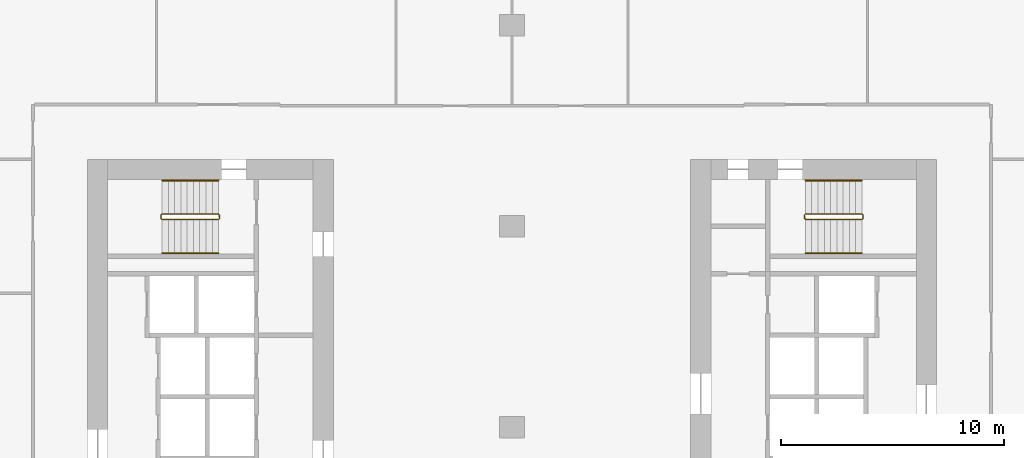
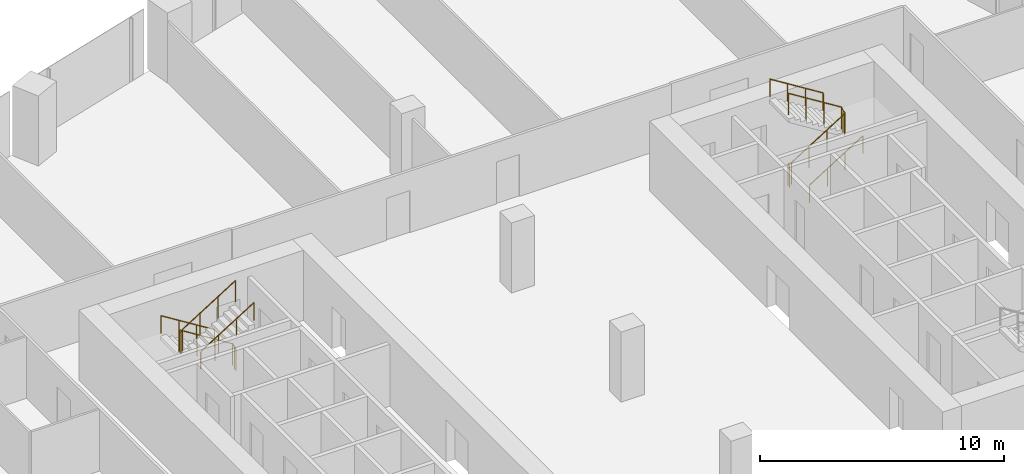
# One storey, part 31 of 31: 6 railings.
"""IFC4 building model written with IfcOpenShell, lengths in metres."""

from ifc_helpers import new_model, si_unit, direction, frame, origin, origin_2d, place, context, subcontext, project, spatial, circle, extrude, material, type_object, element, save


model = new_model("IFC4")

# Units and contexts
model_context = context("Model", 3, precision=1e-05, world=origin(), true_north=direction((0.0, 1.0)))
body_context = subcontext(model_context, "Body", "Model", "MODEL_VIEW")
ifc_project = project(units=[si_unit("LENGTHUNIT", "METRE"), si_unit("AREAUNIT", "SQUARE_METRE"), si_unit("VOLUMEUNIT", "CUBIC_METRE"), si_unit("PLANEANGLEUNIT", "RADIAN"), si_unit("MASSUNIT", "GRAM", prefix="KILO")], contexts=[model_context])

# Site, building, storey
site_placement = place(None, origin())
site = spatial("IfcSite", under=ifc_project, at=site_placement, CompositionType="ELEMENT")
building_placement = place(site_placement, origin())
building = spatial("IfcBuilding", under=site, at=building_placement, Name="Orlundy Tower", CompositionType="ELEMENT")
storey_placement = place(building_placement, frame((0.0, 0.0, 84.199951171875)))
storey = spatial("IfcBuildingStorey", under=building, at=storey_placement, Name="L20", CompositionType="ELEMENT", Elevation=84.199951171875)

# Railings
ifc_material_1 = material(Name="Steel balustrade", Category="steel")
railing_type_1 = type_object("IfcRailingType", Name="Stair Guard 1100", PredefinedType="GUARDRAIL", material=ifc_material_1)
railing_1_placement = place(storey_placement, frame((-13.090087890625, 9.5, 0.0)))
element("IfcRailing", 1, at=railing_1_placement, inside=storey, type_object=railing_type_1, Name="L20 ST-W1 stair guard 1", PredefinedType="GUARDRAIL", context=body_context, shape_type="SweptSolid", body=[
    extrude(circle(Radius=0.02392578125, at=origin_2d()), frame((0.0, 0.0, 1.076171875), z_axis=(0.0, -1.0, 0.0), x_axis=(1.0, 0.0, 0.0)), (0.0, 0.0, 1.0), 0.14990234375),
    extrude(circle(Radius=0.02392578125, at=origin_2d()), frame((0.0, -0.14990234375, 1.076171875), z_axis=(-0.18420542264, 0.739530593833, 0.647427882513), x_axis=(-0.970351222016, -0.241699205484, 0.0)), (0.0, 0.0, 1.0), 0.270263671875),
    extrude(circle(Radius=0.02392578125, at=origin_2d()), frame((-0.0498046875, 0.050048828125, 1.2509765625), z_axis=(-0.848007534815, 0.0, 0.529984170421), x_axis=(0.0, -1.0, 0.0)), (0.0, 0.0, 1.0), 2.9716796875),
    extrude(circle(Radius=0.02392578125, at=origin_2d()), frame((-2.56982421875, 0.050048828125, 2.826171875), z_axis=(-0.707106781187, -0.707106781187, 0.0), x_axis=(0.707106781187, -0.707106781187, 0.0)), (0.0, 0.0, 1.0), 0.07080078125),
    extrude(circle(Radius=0.02392578125, at=origin_2d()), frame((-2.619873046875, 0.0, 2.826171875), z_axis=(0.0, -1.0, 0.0), x_axis=(1.0, 0.0, 0.0)), (0.0, 0.0, 1.0), 0.14990234375),
    extrude(circle(Radius=0.02392578125, at=origin_2d()), frame((-2.619873046875, -0.14990234375, 2.826171875), z_axis=(0.265065253269, -0.265065253269, 0.927081885822), x_axis=(0.707106781187, 0.707106781187, 0.0)), (0.0, 0.0, 1.0), 0.188720703125),
    extrude(circle(Radius=0.02392578125, at=origin_2d()), frame((-2.56982421875, -0.199951171875, 3.0009765625), z_axis=(0.848007534815, 0.0, 0.529984170421), x_axis=(0.0, 1.0, 0.0)), (0.0, 0.0, 1.0), 2.9716796875),
    extrude(circle(Radius=0.02099609375, at=origin_2d()), origin(), (0.0, 0.0, 1.0), 1.052001953125),
    extrude(circle(Radius=0.02099609375, at=origin_2d()), frame((0.0, -0.14990234375, 0.0)), (0.0, 0.0, 1.0), 1.052001953125),
    extrude(circle(Radius=0.02099609375, at=origin_2d()), frame((-0.0498046875, 0.050048828125, 0.175048828125)), (0.0, 0.0, 1.0), 1.052001953125),
    extrude(circle(Radius=0.02099609375, at=origin_2d()), frame((-0.889892578125, 0.050048828125, 0.699951171875)), (0.0, 0.0, 1.0), 1.052001953125),
    extrude(circle(Radius=0.02099609375, at=origin_2d()), frame((-1.729736328125, 0.050048828125, 1.22509765625)), (0.0, 0.0, 1.0), 1.052001953125),
    extrude(circle(Radius=0.02099609375, at=origin_2d()), frame((-2.56982421875, 0.050048828125, 1.75)), (0.0, 0.0, 1.0), 1.052001953125),
    extrude(circle(Radius=0.02099609375, at=origin_2d()), frame((-2.619873046875, 0.0, 1.75)), (0.0, 0.0, 1.0), 1.052001953125),
    extrude(circle(Radius=0.02099609375, at=origin_2d()), frame((-2.619873046875, -0.14990234375, 1.75)), (0.0, 0.0, 1.0), 1.052001953125),
    extrude(circle(Radius=0.02099609375, at=origin_2d()), frame((-2.56982421875, -0.199951171875, 1.925048828125)), (0.0, 0.0, 1.0), 1.052001953125),
    extrude(circle(Radius=0.02099609375, at=origin_2d()), frame((-1.729736328125, -0.199951171875, 2.449951171875)), (0.0, 0.0, 1.0), 1.052001953125),
    extrude(circle(Radius=0.02099609375, at=origin_2d()), frame((-0.889892578125, -0.199951171875, 2.97509765625)), (0.0, 0.0, 1.0), 1.052001953125),
    extrude(circle(Radius=0.02099609375, at=origin_2d()), frame((-0.0498046875, -0.199951171875, 3.5)), (0.0, 0.0, 1.0), 1.052001953125),
])
railing_2_placement = place(storey_placement, frame((13.090087890625, 9.35009765625, 0.0)))
element("IfcRailing", 2, at=railing_2_placement, inside=storey, type_object=railing_type_1, Name="L20 ST-E2 stair guard 1", PredefinedType="GUARDRAIL", context=body_context, shape_type="SweptSolid", body=[
    extrude(circle(Radius=0.02392578125, at=origin_2d()), frame((0.0, 0.0, 1.076171875), z_axis=(0.0, 1.0, 0.0), x_axis=(-1.0, 0.0, 0.0)), (0.0, 0.0, 1.0), 0.14990234375),
    extrude(circle(Radius=0.02392578125, at=origin_2d()), frame((0.0, 0.14990234375, 1.076171875), z_axis=(0.18420542264, -0.739530593833, 0.647427882513), x_axis=(0.970351222016, 0.241699205484, 0.0)), (0.0, 0.0, 1.0), 0.270263671875),
    extrude(circle(Radius=0.02392578125, at=origin_2d()), frame((0.0498046875, -0.050048828125, 1.2509765625), z_axis=(0.848007534815, 0.0, 0.529984170421), x_axis=(0.0, 1.0, 0.0)), (0.0, 0.0, 1.0), 2.9716796875),
    extrude(circle(Radius=0.02392578125, at=origin_2d()), frame((2.56982421875, -0.050048828125, 2.826171875), z_axis=(0.707106781187, 0.707106781187, 0.0), x_axis=(-0.707106781187, 0.707106781187, 0.0)), (0.0, 0.0, 1.0), 0.07080078125),
    extrude(circle(Radius=0.02392578125, at=origin_2d()), frame((2.619873046875, 0.0, 2.826171875), z_axis=(0.0, 1.0, 0.0), x_axis=(-1.0, 0.0, 0.0)), (0.0, 0.0, 1.0), 0.14990234375),
    extrude(circle(Radius=0.02392578125, at=origin_2d()), frame((2.619873046875, 0.14990234375, 2.826171875), z_axis=(-0.265065253269, 0.265065253269, 0.927081885822), x_axis=(-0.707106781187, -0.707106781187, 0.0)), (0.0, 0.0, 1.0), 0.188720703125),
    extrude(circle(Radius=0.02392578125, at=origin_2d()), frame((2.56982421875, 0.199951171875, 3.0009765625), z_axis=(-0.848007534815, 0.0, 0.529984170421), x_axis=(0.0, -1.0, 0.0)), (0.0, 0.0, 1.0), 2.9716796875),
    extrude(circle(Radius=0.02099609375, at=origin_2d()), origin(), (0.0, 0.0, 1.0), 1.052001953125),
    extrude(circle(Radius=0.02099609375, at=origin_2d()), frame((0.0, 0.14990234375, 0.0)), (0.0, 0.0, 1.0), 1.052001953125),
    extrude(circle(Radius=0.02099609375, at=origin_2d()), frame((0.0498046875, -0.050048828125, 0.175048828125)), (0.0, 0.0, 1.0), 1.052001953125),
    extrude(circle(Radius=0.02099609375, at=origin_2d()), frame((0.889892578125, -0.050048828125, 0.699951171875)), (0.0, 0.0, 1.0), 1.052001953125),
    extrude(circle(Radius=0.02099609375, at=origin_2d()), frame((1.729736328125, -0.050048828125, 1.22509765625)), (0.0, 0.0, 1.0), 1.052001953125),
    extrude(circle(Radius=0.02099609375, at=origin_2d()), frame((2.56982421875, -0.050048828125, 1.75)), (0.0, 0.0, 1.0), 1.052001953125),
    extrude(circle(Radius=0.02099609375, at=origin_2d()), frame((2.619873046875, 0.0, 1.75)), (0.0, 0.0, 1.0), 1.052001953125),
    extrude(circle(Radius=0.02099609375, at=origin_2d()), frame((2.619873046875, 0.14990234375, 1.75)), (0.0, 0.0, 1.0), 1.052001953125),
    extrude(circle(Radius=0.02099609375, at=origin_2d()), frame((2.56982421875, 0.199951171875, 1.925048828125)), (0.0, 0.0, 1.0), 1.052001953125),
    extrude(circle(Radius=0.02099609375, at=origin_2d()), frame((1.729736328125, 0.199951171875, 2.449951171875)), (0.0, 0.0, 1.0), 1.052001953125),
    extrude(circle(Radius=0.02099609375, at=origin_2d()), frame((0.889892578125, 0.199951171875, 2.97509765625)), (0.0, 0.0, 1.0), 1.052001953125),
    extrude(circle(Radius=0.02099609375, at=origin_2d()), frame((0.0498046875, 0.199951171875, 3.5)), (0.0, 0.0, 1.0), 1.052001953125),
])
ifc_material_2 = material(Name="Steel handrail", Category="steel")
railing_type_2 = type_object("IfcRailingType", Name="Stair Handrail 900", PredefinedType="HANDRAIL", material=ifc_material_2)
railing_3_placement = place(storey_placement, frame((-13.139892578125, 11.050048828125, 0.175048828125)))
element("IfcRailing", 3, at=railing_3_placement, inside=storey, type_object=railing_type_2, Name="L20 ST-W1 stair handrail 1", PredefinedType="HANDRAIL", context=body_context, shape_type="SweptSolid", body=[
    extrude(circle(Radius=0.02392578125, at=origin_2d()), frame((0.0, 0.0, 0.8759765625), z_axis=(-0.848007534815, 0.0, 0.529984170421), x_axis=(0.0, -1.0, 0.0)), (0.0, 0.0, 1.0), 2.9716796875),
    extrude(circle(Radius=0.02099609375, at=origin_2d()), origin(), (0.0, 0.0, 1.0), 0.851806640625),
    extrude(circle(Radius=0.02099609375, at=origin_2d()), frame((-0.840087890625, 0.0, 0.52490234375)), (0.0, 0.0, 1.0), 0.851806640625),
    extrude(circle(Radius=0.02099609375, at=origin_2d()), frame((-1.679931640625, 0.0, 1.050048828125)), (0.0, 0.0, 1.0), 0.851806640625),
    extrude(circle(Radius=0.02099609375, at=origin_2d()), frame((-2.52001953125, 0.0, 1.574951171875)), (0.0, 0.0, 1.0), 0.851806640625),
])
for number, where, name in (
    (4, (-15.659912109375, 7.800048828125, 1.925048828125), "L20 ST-W1 stair handrail 2"),
    (5, (13.139892578125, 7.800048828125, 0.175048828125), "L20 ST-E2 stair handrail 1"),
):
    element("IfcRailing", number, at=place(storey_placement, frame(where)), inside=storey, type_object=railing_type_2, Name=name, PredefinedType="HANDRAIL", context=body_context, shape_type="SweptSolid", body=[
        extrude(circle(Radius=0.02392578125, at=origin_2d()), frame((0.0, 0.0, 0.8759765625), z_axis=(0.848007534815, 0.0, 0.529984170421), x_axis=(0.0, 1.0, 0.0)), (0.0, 0.0, 1.0), 2.9716796875),
        extrude(circle(Radius=0.02099609375, at=origin_2d()), origin(), (0.0, 0.0, 1.0), 0.851806640625),
        extrude(circle(Radius=0.02099609375, at=origin_2d()), frame((0.840087890625, 0.0, 0.52490234375)), (0.0, 0.0, 1.0), 0.851806640625),
        extrude(circle(Radius=0.02099609375, at=origin_2d()), frame((1.679931640625, 0.0, 1.050048828125)), (0.0, 0.0, 1.0), 0.851806640625),
        extrude(circle(Radius=0.02099609375, at=origin_2d()), frame((2.52001953125, 0.0, 1.574951171875)), (0.0, 0.0, 1.0), 0.851806640625),
    ])
railing_4_placement = place(storey_placement, frame((15.659912109375, 11.050048828125, 1.925048828125)))
element("IfcRailing", 6, at=railing_4_placement, inside=storey, type_object=railing_type_2, Name="L20 ST-E2 stair handrail 2", PredefinedType="HANDRAIL", context=body_context, shape_type="SweptSolid", body=[
    extrude(circle(Radius=0.02392578125, at=origin_2d()), frame((0.0, 0.0, 0.8759765625), z_axis=(-0.848007534815, 0.0, 0.529984170421), x_axis=(0.0, -1.0, 0.0)), (0.0, 0.0, 1.0), 2.9716796875),
    extrude(circle(Radius=0.02099609375, at=origin_2d()), origin(), (0.0, 0.0, 1.0), 0.851806640625),
    extrude(circle(Radius=0.02099609375, at=origin_2d()), frame((-0.840087890625, 0.0, 0.52490234375)), (0.0, 0.0, 1.0), 0.851806640625),
    extrude(circle(Radius=0.02099609375, at=origin_2d()), frame((-1.679931640625, 0.0, 1.050048828125)), (0.0, 0.0, 1.0), 0.851806640625),
    extrude(circle(Radius=0.02099609375, at=origin_2d()), frame((-2.52001953125, 0.0, 1.574951171875)), (0.0, 0.0, 1.0), 0.851806640625),
])

save(model, "model.ifc")
